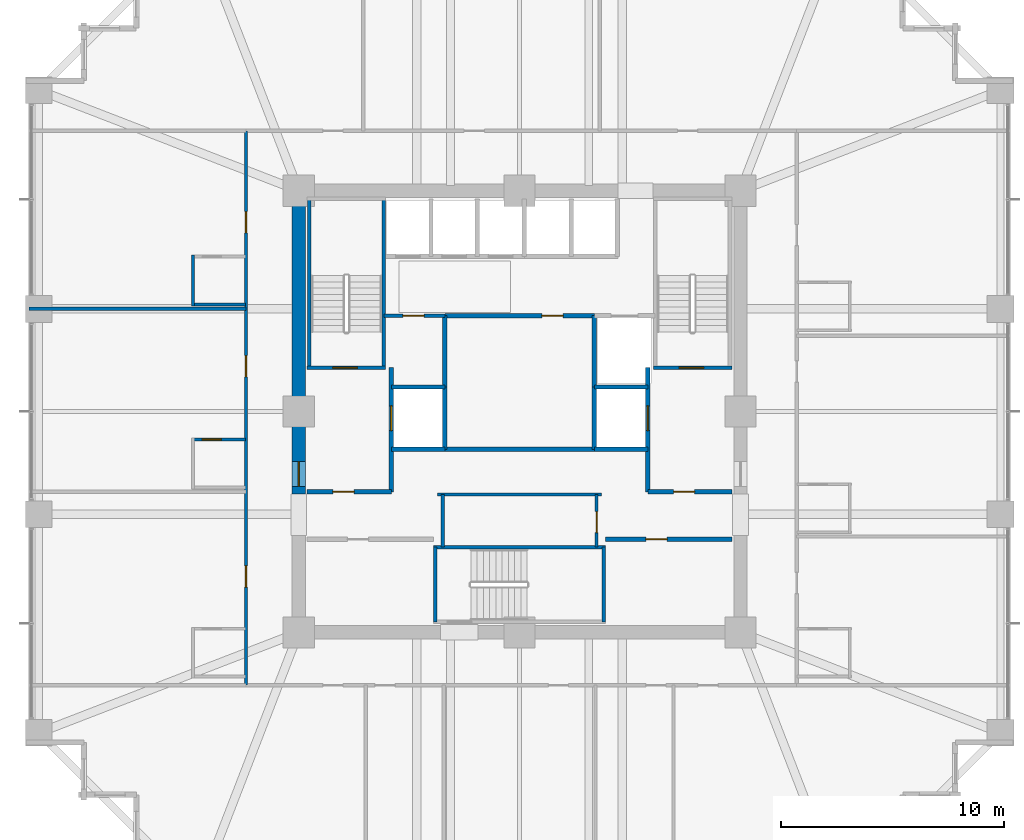
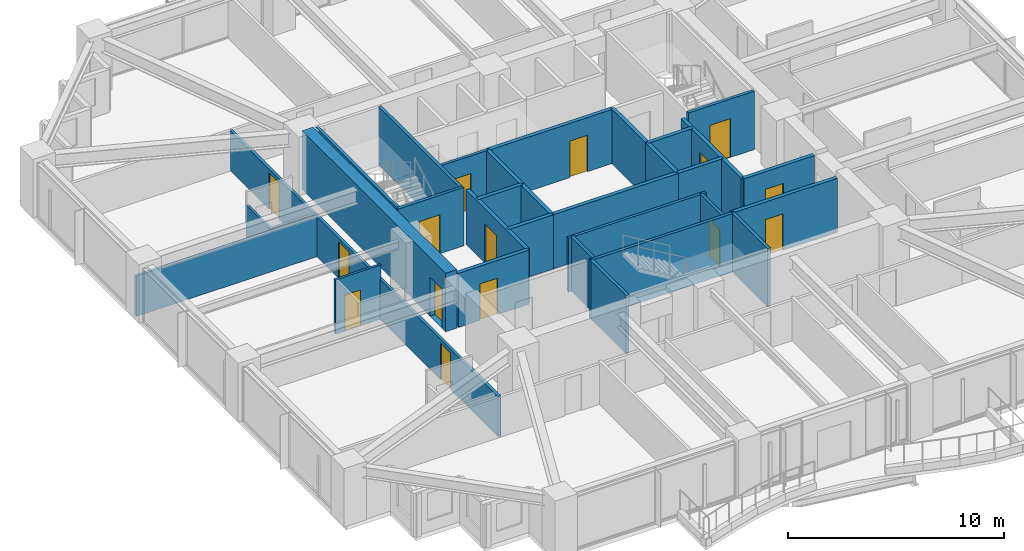
# One storey, part 33 of 38: 32 walls, 15 doors, 15 openings.
"""IFC4 building model written with IfcOpenShell, lengths in metres."""

import ifcopenshell
import ifcopenshell.guid

model = None  # the IFC model being written
_history = None  # IfcOwnerHistory: only IFC2X3 demands one
_inside = {}  # id of a spatial element -> (the spatial element, [elements in it])
_under = {}  # id of a project, library or spatial element -> (it, [spatial elements below it])
_declared = {}  # id of a project -> (the project, [libraries it declares])
_typed = {}  # id of a type object -> (the type object, [elements of that type])
_made_of = {}  # id of a material, layer set ... -> (it, [elements and type objects made of it])


def new_model(schema):
    """Start an empty IFC model of exactly this schema.

    Asked for "IFC4X3", IfcOpenShell would pick the latest addendum, in which some entities
    have other attributes; the version numbers below select the first issue.
    IFC2X3 requires an IfcOwnerHistory on every rooted entity: one is made here for all.
    """
    global model, _history
    if schema == "IFC4X3":
        model = ifcopenshell.file(schema_version=(4, 3, 0, 0))
    else:
        model = ifcopenshell.file(schema=schema)
    _inside.clear()
    _under.clear()
    _declared.clear()
    _typed.clear()
    _made_of.clear()
    _history = None
    if model.schema == "IFC2X3":
        org = make("IfcOrganization", Name="unknown")
        user = make(
            "IfcPersonAndOrganization",
            ThePerson=make("IfcPerson", FamilyName="unknown"),
            TheOrganization=org,
        )
        app = make(
            "IfcApplication",
            ApplicationDeveloper=org,
            Version="unknown",
            ApplicationFullName="unknown",
            ApplicationIdentifier="unknown",
        )
        _history = make(
            "IfcOwnerHistory",
            OwningUser=user,
            OwningApplication=app,
            ChangeAction="ADDED",
            CreationDate=0,
        )
    return model


def make(cls, **values):
    """One entity of the class cls with the attributes given. An attribute that is None is left unset."""
    return model.create_entity(
        cls, **{name: value for name, value in values.items() if value is not None}
    )


def rooted(cls, **values):
    """An entity with a GlobalId (a new one), such as an element, a storey or a relation."""
    return make(cls, GlobalId=ifcopenshell.guid.new(), OwnerHistory=_history, **values)


def si_unit(unit_type, name, prefix=None):
    """IfcSIUnit, for example si_unit("LENGTHUNIT", "METRE", prefix="MILLI")."""
    return make("IfcSIUnit", UnitType=unit_type, Prefix=prefix, Name=name)


def assignment(units):
    """IfcUnitAssignment: the units of a project."""
    return None if units is None else make("IfcUnitAssignment", Units=units)


def point(xyz):
    """IfcCartesianPoint."""
    return None if xyz is None else make("IfcCartesianPoint", Coordinates=xyz)


def direction(xyz):
    """IfcDirection."""
    return None if xyz is None else make("IfcDirection", DirectionRatios=xyz)


def frame(location, z_axis=None, x_axis=None):
    """IfcAxis2Placement3D, a coordinate frame: its origin and axes. An axis left out is left unset."""
    return make(
        "IfcAxis2Placement3D",
        Location=point(location),
        Axis=direction(z_axis),
        RefDirection=direction(x_axis),
    )


def frame_2d(location, x_axis=None):
    """IfcAxis2Placement2D, a coordinate frame in the plane: its origin and x axis."""
    return make(
        "IfcAxis2Placement2D", Location=point(location), RefDirection=direction(x_axis)
    )


def origin():
    """The frame at (0, 0, 0) with its axes left unset."""
    return frame((0.0, 0.0, 0.0))


def place(relative_to, where):
    """IfcLocalPlacement: puts the frame where relative to a parent placement (None: the world)."""
    return make(
        "IfcLocalPlacement", PlacementRelTo=relative_to, RelativePlacement=where
    )


def context(
    kind, dimensions, precision=None, world=None, true_north=None, identifier=None
):
    """IfcGeometricRepresentationContext, for example the 3D "Model" context."""
    return make(
        "IfcGeometricRepresentationContext",
        ContextIdentifier=identifier,
        ContextType=kind,
        CoordinateSpaceDimension=dimensions,
        Precision=precision,
        WorldCoordinateSystem=world,
        TrueNorth=true_north,
    )


def subcontext(parent, identifier, kind, view, scale=None):
    """IfcGeometricRepresentationSubContext, for example "Body" below "Model"."""
    return make(
        "IfcGeometricRepresentationSubContext",
        ContextIdentifier=identifier,
        ContextType=kind,
        ParentContext=parent,
        TargetScale=scale,
        TargetView=view,
    )


def project(units=None, contexts=None):
    """IfcProject with its units and contexts."""
    return rooted(
        "IfcProject",
        Name="project",
        RepresentationContexts=contexts,
        UnitsInContext=assignment(units),
    )


def spatial(cls, under=None, at=None, **own):
    """A site, building, storey or space (cls), placed at a placement, below another one or the project."""
    s = rooted(cls, ObjectPlacement=at, **own)
    if under is not None:
        _under.setdefault(under.id(), (under, []))[1].append(s)
    return s


def profile(cls, at=None, kind="AREA", **sizes):
    """A parametric profile (cls). Its sizes go by their IFC names, for example OverallWidth=200.0."""
    return make(cls, ProfileType=kind, Position=at, **sizes)


def rectangle(**sizes):
    """IfcRectangleProfileDef."""
    return profile("IfcRectangleProfileDef", **sizes)


def extrude(swept, where, along, depth):
    """IfcExtrudedAreaSolid: the profile swept, set in the frame where, extruded along a direction by depth."""
    return make(
        "IfcExtrudedAreaSolid",
        SweptArea=swept,
        Position=where,
        ExtrudedDirection=direction(along),
        Depth=depth,
    )


def shape(context_of_items, identifier, shape_type, items):
    """IfcShapeRepresentation: the items that make up one representation, for example the "Body"."""
    return make(
        "IfcShapeRepresentation",
        ContextOfItems=context_of_items,
        RepresentationIdentifier=identifier,
        RepresentationType=shape_type,
        Items=items,
    )


def material(Name=None, Category=None):
    """IfcMaterial."""
    return make("IfcMaterial", Name=Name, Category=Category)


def layer(
    of_material, thickness, ventilated=None, Name=None, Category=None, Priority=None
):
    """IfcMaterialLayer: one layer of a wall or slab, of a material (None: an air gap)."""
    return make(
        "IfcMaterialLayer",
        Material=of_material,
        LayerThickness=thickness,
        IsVentilated=ventilated,
        Name=Name,
        Category=Category,
        Priority=Priority,
    )


def layer_set(layers, Name=None):
    """IfcMaterialLayerSet."""
    return make("IfcMaterialLayerSet", MaterialLayers=layers, LayerSetName=Name)


def made_of(thing, what):
    """Note that an element or type object is made of a material, layer set ...; save() writes the relation."""
    if what is not None:
        _made_of.setdefault(what.id(), (what, []))[1].append(thing)
    return thing


def type_object(cls, material=None, **own):
    """A type object (cls), such as IfcWallType, which elements share."""
    return made_of(rooted(cls, **own), material)


def element(
    cls,
    number,
    at=None,
    inside=None,
    cuts=None,
    type_object=None,
    material=None,
    context=None,
    identifier="Body",
    shape_type=None,
    held_by="IfcProductDefinitionShape",
    body=None,
    shapes=None,
    **own,
):
    """One element of the class cls, such as IfcWall. Its Tag is "e" and its number.

    at: its placement. inside: the storey or other place that contains it. cuts: it is an
    opening in that element (IfcRelVoidsElement). A single representation is given by context,
    identifier, shape_type and body (its items); several are given by shapes. held_by: the class
    of the entity that holds the representations. save() writes the other relations.
    """
    e = rooted(cls, Tag="e%d" % number, ObjectPlacement=at, **own)
    if body is not None:
        shapes = [shape(context, identifier, shape_type, body)]
    if shapes is not None:
        e.Representation = make(held_by, Representations=shapes)
    if inside is not None:
        _inside.setdefault(inside.id(), (inside, []))[1].append(e)
    if cuts is not None:
        rooted(
            "IfcRelVoidsElement", RelatingBuildingElement=cuts, RelatedOpeningElement=e
        )
    if type_object is not None:
        _typed.setdefault(type_object.id(), (type_object, []))[1].append(e)
    return made_of(e, material)


def fill(opening, filler):
    """IfcRelFillsElement: the door or window that sits in an opening."""
    return rooted(
        "IfcRelFillsElement",
        RelatingOpeningElement=opening,
        RelatedBuildingElement=filler,
    )


def aggregate(whole, parts):
    """IfcRelAggregates: a whole, such as a stair, and the parts it consists of."""
    return rooted("IfcRelAggregates", RelatingObject=whole, RelatedObjects=parts)


def save(model, path):
    """Write the relations noted so far, then the file.

    IfcRelAggregates (storeys below a building ...), IfcRelContainedInSpatialStructure (elements
    in a storey), IfcRelDefinesByType, IfcRelAssociatesMaterial and IfcRelDeclares: one each for
    every whole, place, type object, material and project.
    """
    for whole, parts in _under.values():
        aggregate(whole, parts)
    for where, things in _inside.values():
        rooted(
            "IfcRelContainedInSpatialStructure",
            RelatedElements=things,
            RelatingStructure=where,
        )
    for kind, things in _typed.values():
        rooted("IfcRelDefinesByType", RelatedObjects=things, RelatingType=kind)
    for what, things in _made_of.values():
        rooted("IfcRelAssociatesMaterial", RelatedObjects=things, RelatingMaterial=what)
    for by, libraries in _declared.values():
        rooted("IfcRelDeclares", RelatingContext=by, RelatedDefinitions=libraries)
    model.write(path)


model = new_model("IFC4")

# Units and contexts
model_context = context("Model", 3, precision=1e-05, world=origin(), true_north=direction((0.0, 1.0)))
body_context = subcontext(model_context, "Body", "Model", "MODEL_VIEW")
ifc_project = project(units=[si_unit("LENGTHUNIT", "METRE"), si_unit("AREAUNIT", "SQUARE_METRE"), si_unit("VOLUMEUNIT", "CUBIC_METRE"), si_unit("PLANEANGLEUNIT", "RADIAN"), si_unit("MASSUNIT", "GRAM", prefix="KILO")], contexts=[model_context])

# Site, building, storey
site_placement = place(None, origin())
site = spatial("IfcSite", under=ifc_project, at=site_placement, CompositionType="ELEMENT")
building_placement = place(site_placement, origin())
building = spatial("IfcBuilding", under=site, at=building_placement, Name="Kolvaren Belvedere", CompositionType="ELEMENT")
storey_placement = place(building_placement, frame((0.0, 0.0, 27.10009765625)))
storey = spatial("IfcBuildingStorey", under=building, at=storey_placement, Name="L07", CompositionType="ELEMENT", Elevation=27.10009765625)

# Wall, opening, door
ifc_material_1 = material(Name="Concrete C60/75", Category="concrete")
ifc_layer_1 = layer(ifc_material_1, 0.60009765625)
ifc_layer_set_1 = layer_set([ifc_layer_1], Name="Concrete C60/75")
wall_type_1 = type_object("IfcWallType", Name="CW-CORE-600", PredefinedType="SHEAR", material=ifc_layer_set_1)
wall_1_placement = place(storey_placement, frame((-9.89990234375, -3.699951171875, 0.0), z_axis=(0.0, 0.0, 1.0), x_axis=(0.0, 1.0, 0.0)))
wall_1 = element("IfcWall", 1, at=wall_1_placement, inside=storey, type_object=wall_type_1, Name="L07 West Core Shear Wall 2", PredefinedType="SHEAR", context=body_context, shape_type="SweptSolid", body=[
    extrude(rectangle(XDim=13.300048828125, YDim=0.60009765625, at=frame_2d((6.64990234375, 0.0))), origin(), (0.0, 0.0, 1.0), 3.2998046875),
])
opening_1_placement = place(wall_1_placement, frame((0.35009765625, 0.0, 0.0)))
opening_1 = element("IfcOpeningElement", 2, at=opening_1_placement, cuts=wall_1, Name="Opening D-FD90", PredefinedType="OPENING", context=body_context, shape_type="SweptSolid", body=[
    extrude(rectangle(XDim=1.10009765625, YDim=2.199951171875, at=frame_2d((0.550048828125, 1.10009765625))), frame((0.0, 0.31005859375, 0.0), z_axis=(0.0, -1.0, 0.0), x_axis=(1.0, 0.0, 0.0)), (0.0, 0.0, 1.0), 0.6201171875),
])
ifc_material_2 = material(Name="Painted hollow stainless steel", Category="steel")
door_type_1 = type_object("IfcDoorType", Name="DR-FD90-1100", OperationType="NOTDEFINED", PredefinedType="DOOR", material=ifc_material_2)
door_1_placement = place(opening_1_placement, origin())
door_1 = element("IfcDoor", 3, at=door_1_placement, inside=storey, type_object=door_type_1, Name="L07 West Firefighting Lobby Fire Door", OperationType="SINGLE_SWING_LEFT", OverallHeight=2.199951171875, OverallWidth=1.10009765625, PredefinedType="DOOR", context=body_context, shape_type="SweptSolid", body=[
    extrude(rectangle(XDim=1.10009765625, YDim=2.199951171875, at=frame_2d((0.550048828125, 1.10009765625))), frame((0.0, 0.02490234375, 0.0), z_axis=(0.0, -1.0, 0.0), x_axis=(1.0, 0.0, 0.0)), (0.0, 0.0, 1.0), 0.050048828125),
])
fill(opening_1, door_1)

ifc_material_3 = material(Name="Concrete C50/60", Category="concrete")
ifc_layer_2 = layer(ifc_material_3, 0.159912109375)
ifc_layer_set_2 = layer_set([ifc_layer_2], Name="Concrete C50/60")
wall_type_2 = type_object("IfcWallType", Name="CW-STAIR-160", PredefinedType="SHEAR", material=ifc_layer_set_2)
wall_2_placement = place(storey_placement, frame((-9.52001953125, 1.969970703125, 0.0), z_axis=(0.0, 0.0, 1.0), x_axis=(1.0, 0.0, 0.0)))
wall_2 = element("IfcWall", 4, at=wall_2_placement, inside=storey, type_object=wall_type_2, Name="L07 Stair ST-1 South Shear Wall", PredefinedType="SHEAR", context=body_context, shape_type="SweptSolid", body=[
    extrude(rectangle(XDim=3.52001953125, YDim=0.159912109375, at=frame_2d((1.760009765625, 0.0))), origin(), (0.0, 0.0, 1.0), 3.2998046875),
])
opening_2_placement = place(wall_2_placement, frame((1.14990234375, 0.0, 0.0)))
opening_2 = element("IfcOpeningElement", 5, at=opening_2_placement, cuts=wall_2, Name="Opening D-FD90", PredefinedType="OPENING", context=body_context, shape_type="SweptSolid", body=[
    extrude(rectangle(XDim=1.10009765625, YDim=2.199951171875, at=frame_2d((0.550048828125, 1.10009765625))), frame((0.0, 0.08984375, 0.0), z_axis=(0.0, -1.0, 0.0), x_axis=(1.0, 0.0, 0.0)), (0.0, 0.0, 1.0), 0.179931640625),
])
door_2_placement = place(opening_2_placement, origin())
door_2 = element("IfcDoor", 6, at=door_2_placement, inside=storey, type_object=door_type_1, Name="L07 Stair ST-1 Fire Door", OperationType="SINGLE_SWING_LEFT", OverallHeight=2.199951171875, OverallWidth=1.10009765625, PredefinedType="DOOR", context=body_context, shape_type="SweptSolid", body=[
    extrude(rectangle(XDim=1.10009765625, YDim=2.199951171875, at=frame_2d((0.550048828125, 1.10009765625))), frame((0.0, 0.02490234375, 0.0), z_axis=(0.0, -1.0, 0.0), x_axis=(1.0, 0.0, 0.0)), (0.0, 0.0, 1.0), 0.050048828125),
])
fill(opening_2, door_2)

# Walls
for number, where, z_axis, x_axis, name in (
    (7, (-9.429931640625, 1.969970703125, 0.0), (0.0, 0.0, 1.0), (0.0, 1.0, 0.0), "L07 Stair ST-1 West Shear Wall"),
    (8, (-6.080078125, 1.969970703125, 0.0), (0.0, 0.0, 1.0), (0.0, 1.0, 0.0), "L07 Stair ST-1 East Shear Wall"),
):
    element("IfcWall", number, at=place(storey_placement, frame(where, z_axis=z_axis, x_axis=x_axis)), inside=storey, type_object=wall_type_2, Name=name, PredefinedType="SHEAR", context=body_context, shape_type="SweptSolid", body=[
        extrude(rectangle(XDim=7.56005859375, YDim=0.159912109375, at=frame_2d((3.780029296875, 0.0))), origin(), (0.0, 0.0, 1.0), 3.2998046875),
    ])

# Wall, opening, door
wall_3_placement = place(storey_placement, frame((6.0, 1.969970703125, 0.0), z_axis=(0.0, 0.0, 1.0), x_axis=(1.0, 0.0, 0.0)))
wall_3 = element("IfcWall", 9, at=wall_3_placement, inside=storey, type_object=wall_type_2, Name="L07 Stair ST-2 South Shear Wall", PredefinedType="SHEAR", context=body_context, shape_type="SweptSolid", body=[
    extrude(rectangle(XDim=3.52001953125, YDim=0.159912109375, at=frame_2d((1.760009765625, 0.0))), origin(), (0.0, 0.0, 1.0), 3.2998046875),
])
opening_3_placement = place(wall_3_placement, frame((1.14990234375, 0.0, 0.0)))
opening_3 = element("IfcOpeningElement", 10, at=opening_3_placement, cuts=wall_3, Name="Opening D-FD90", PredefinedType="OPENING", context=body_context, shape_type="SweptSolid", body=[
    extrude(rectangle(XDim=1.10009765625, YDim=2.199951171875, at=frame_2d((0.550048828125, 1.10009765625))), frame((0.0, 0.08984375, 0.0), z_axis=(0.0, -1.0, 0.0), x_axis=(1.0, 0.0, 0.0)), (0.0, 0.0, 1.0), 0.179931640625),
])
door_3_placement = place(opening_3_placement, origin())
door_3 = element("IfcDoor", 11, at=door_3_placement, inside=storey, type_object=door_type_1, Name="L07 Stair ST-2 Fire Door", OperationType="SINGLE_SWING_RIGHT", OverallHeight=2.199951171875, OverallWidth=1.10009765625, PredefinedType="DOOR", context=body_context, shape_type="SweptSolid", body=[
    extrude(rectangle(XDim=1.10009765625, YDim=2.199951171875, at=frame_2d((0.550048828125, 1.10009765625))), frame((0.0, 0.02490234375, 0.0), z_axis=(0.0, -1.0, 0.0), x_axis=(1.0, 0.0, 0.0)), (0.0, 0.0, 1.0), 0.050048828125),
])
fill(opening_3, door_3)

# Walls
wall_4_placement = place(storey_placement, frame((-3.860107421875, -6.080078125, 0.0), z_axis=(0.0, 0.0, 1.0), x_axis=(1.0, 0.0, 0.0)))
element("IfcWall", 12, at=wall_4_placement, inside=storey, type_object=wall_type_2, Name="L07 Stair ST-3 North Shear Wall", PredefinedType="SHEAR", context=body_context, shape_type="SweptSolid", body=[
    extrude(rectangle(XDim=7.72021484375, YDim=0.159912109375, at=frame_2d((3.860107421875, 0.0))), origin(), (0.0, 0.0, 1.0), 3.2998046875),
])
for number, where, z_axis, x_axis, name in (
    (13, (-3.780029296875, -9.429931640625, 0.0), (0.0, 0.0, 1.0), (0.0, 1.0, 0.0), "L07 Stair ST-3 West Shear Wall"),
    (14, (3.780029296875, -9.429931640625, 0.0), (0.0, 0.0, 1.0), (0.0, 1.0, 0.0), "L07 Stair ST-3 East Shear Wall"),
):
    element("IfcWall", number, at=place(storey_placement, frame(where, z_axis=z_axis, x_axis=x_axis)), inside=storey, type_object=wall_type_2, Name=name, PredefinedType="SHEAR", context=body_context, shape_type="SweptSolid", body=[
        extrude(rectangle(XDim=3.349853515625, YDim=0.159912109375, at=frame_2d((1.6748046875, 0.0))), origin(), (0.0, 0.0, 1.0), 3.2998046875),
    ])

# Wall, openings, doors
ifc_material_4 = material(Name="Gypsum fire-rated partition assembly", Category="gypsum")
ifc_layer_3 = layer(ifc_material_4, 0.14990234375)
ifc_layer_set_3 = layer_set([ifc_layer_3], Name="Gypsum fire-rated partition assembly")
wall_type_3 = type_object("IfcWallType", Name="WL-CORR-150", PredefinedType="PARTITIONING", material=ifc_layer_set_3)
wall_5_placement = place(storey_placement, frame((-12.260009765625, -12.260009765625, 0.0), z_axis=(0.0, 0.0, 1.0), x_axis=(0.0, 1.0, 0.0)))
wall_5 = element("IfcWall", 15, at=wall_5_placement, inside=storey, type_object=wall_type_3, Name="L07 West Corridor Wall", PredefinedType="PARTITIONING", context=body_context, shape_type="SweptSolid", body=[
    extrude(rectangle(XDim=24.840087890625, YDim=0.14990234375, at=frame_2d((12.419921875, 0.0))), origin(), (0.0, 0.0, 1.0), 2.27197265625),
])
opening_4_placement = place(wall_5_placement, frame((4.39453125, 0.0, 0.0)))
opening_4 = element("IfcOpeningElement", 16, at=opening_4_placement, cuts=wall_5, Name="Opening D-FD60", PredefinedType="OPENING", context=body_context, shape_type="SweptSolid", body=[
    extrude(rectangle(XDim=0.949951171875, YDim=2.06005859375, at=frame_2d((0.47509765625, 1.030029296875))), frame((0.0, 0.0849609375, 0.0), z_axis=(0.0, -1.0, 0.0), x_axis=(1.0, 0.0, 0.0)), (0.0, 0.0, 1.0), 0.169921875),
])
opening_5_placement = place(wall_5_placement, frame((13.81494140625, 0.0, 0.0)))
opening_5 = element("IfcOpeningElement", 17, at=opening_5_placement, cuts=wall_5, Name="Opening D-FD60", PredefinedType="OPENING", context=body_context, shape_type="SweptSolid", body=[
    extrude(rectangle(XDim=0.949951171875, YDim=2.06005859375, at=frame_2d((0.47509765625, 1.030029296875))), frame((0.0, 0.0849609375, 0.0), z_axis=(0.0, -1.0, 0.0), x_axis=(1.0, 0.0, 0.0)), (0.0, 0.0, 1.0), 0.169921875),
])
opening_6_placement = place(wall_5_placement, frame((20.267578125, 0.0, 0.0)))
opening_6 = element("IfcOpeningElement", 18, at=opening_6_placement, cuts=wall_5, Name="Opening D-FD60", PredefinedType="OPENING", context=body_context, shape_type="SweptSolid", body=[
    extrude(rectangle(XDim=0.949951171875, YDim=2.06005859375, at=frame_2d((0.47509765625, 1.030029296875))), frame((0.0, 0.0849609375, 0.0), z_axis=(0.0, -1.0, 0.0), x_axis=(1.0, 0.0, 0.0)), (0.0, 0.0, 1.0), 0.169921875),
])
ifc_material_5 = material(Name="Acoustic white-oak fire door leaf", Category="timber")
door_type_2 = type_object("IfcDoorType", Name="DR-FD60-950", OperationType="NOTDEFINED", PredefinedType="DOOR", material=ifc_material_5)
door_4_placement = place(opening_4_placement, origin())
door_4 = element("IfcDoor", 19, at=door_4_placement, inside=storey, type_object=door_type_2, Name="L07 Panoramic Corner Hospitality Suite 709 Entry Door", OperationType="SINGLE_SWING_LEFT", OverallHeight=2.06005859375, OverallWidth=0.949951171875, PredefinedType="DOOR", context=body_context, shape_type="SweptSolid", body=[
    extrude(rectangle(XDim=0.949951171875, YDim=2.06005859375, at=frame_2d((0.47509765625, 1.030029296875))), frame((0.0, 0.02490234375, 0.0), z_axis=(0.0, -1.0, 0.0), x_axis=(1.0, 0.0, 0.0)), (0.0, 0.0, 1.0), 0.050048828125),
])
fill(opening_4, door_4)
door_5_placement = place(opening_5_placement, origin())
door_5 = element("IfcDoor", 20, at=door_5_placement, inside=storey, type_object=door_type_2, Name="L07 Panoramic Corner Hospitality Suite 710 Entry Door", OperationType="SINGLE_SWING_LEFT", OverallHeight=2.06005859375, OverallWidth=0.949951171875, PredefinedType="DOOR", context=body_context, shape_type="SweptSolid", body=[
    extrude(rectangle(XDim=0.949951171875, YDim=2.06005859375, at=frame_2d((0.47509765625, 1.030029296875))), frame((0.0, 0.02490234375, 0.0), z_axis=(0.0, -1.0, 0.0), x_axis=(1.0, 0.0, 0.0)), (0.0, 0.0, 1.0), 0.050048828125),
])
fill(opening_5, door_5)
door_6_placement = place(opening_6_placement, origin())
door_6 = element("IfcDoor", 21, at=door_6_placement, inside=storey, type_object=door_type_2, Name="L07 Panoramic Corner Hospitality Suite 711 Entry Door", OperationType="SINGLE_SWING_LEFT", OverallHeight=2.06005859375, OverallWidth=0.949951171875, PredefinedType="DOOR", context=body_context, shape_type="SweptSolid", body=[
    extrude(rectangle(XDim=0.949951171875, YDim=2.06005859375, at=frame_2d((0.47509765625, 1.030029296875))), frame((0.0, 0.02490234375, 0.0), z_axis=(0.0, -1.0, 0.0), x_axis=(1.0, 0.0, 0.0)), (0.0, 0.0, 1.0), 0.050048828125),
])
fill(opening_6, door_6)

# Wall
ifc_material_6 = material(Name="Gypsum acoustic partition assembly", Category="gypsum")
ifc_layer_4 = layer(ifc_material_6, 0.14990234375)
ifc_layer_set_4 = layer_set([ifc_layer_4], Name="Gypsum acoustic partition assembly")
wall_type_4 = type_object("IfcWallType", Name="WL-PART-150", PredefinedType="PARTITIONING", material=ifc_layer_set_4)
wall_6_placement = place(storey_placement, frame((-3.679931640625, -3.719970703125, 0.0), z_axis=(0.0, 0.0, 1.0), x_axis=(1.0, 0.0, 0.0)))
element("IfcWall", 22, at=wall_6_placement, inside=storey, type_object=wall_type_4, Name="L07 South Core Service North Wall", PredefinedType="PARTITIONING", context=body_context, shape_type="SweptSolid", body=[
    extrude(rectangle(XDim=7.35986328125, YDim=0.14990234375, at=frame_2d((3.679931640625, 0.0))), origin(), (0.0, 0.0, 1.0), 3.059814453125),
])

# Wall, opening, door
wall_7_placement = place(storey_placement, frame((3.449951171875, -6.080078125, 0.0), z_axis=(0.0, 0.0, 1.0), x_axis=(0.0, 1.0, 0.0)))
wall_7 = element("IfcWall", 23, at=wall_7_placement, inside=storey, type_object=wall_type_4, Name="L07 South Core Service East Wall", PredefinedType="PARTITIONING", context=body_context, shape_type="SweptSolid", body=[
    extrude(rectangle(XDim=2.360107421875, YDim=0.14990234375, at=frame_2d((1.18017578125, 0.0))), origin(), (0.0, 0.0, 1.0), 3.059814453125),
])
opening_7_placement = place(wall_7_placement, frame((0.64990234375, 0.0, 0.0)))
opening_7 = element("IfcOpeningElement", 24, at=opening_7_placement, cuts=wall_7, Name="Opening D-FD60", PredefinedType="OPENING", context=body_context, shape_type="SweptSolid", body=[
    extrude(rectangle(XDim=0.949951171875, YDim=2.06005859375, at=frame_2d((0.47509765625, 1.030029296875))), frame((0.0, 0.0849609375, 0.0), z_axis=(0.0, -1.0, 0.0), x_axis=(1.0, 0.0, 0.0)), (0.0, 0.0, 1.0), 0.169921875),
])
door_7_placement = place(opening_7_placement, origin())
door_7 = element("IfcDoor", 25, at=door_7_placement, inside=storey, type_object=door_type_2, Name="L07 Core Service Room Door", OperationType="SINGLE_SWING_LEFT", OverallHeight=2.06005859375, OverallWidth=0.949951171875, PredefinedType="DOOR", context=body_context, shape_type="SweptSolid", body=[
    extrude(rectangle(XDim=0.949951171875, YDim=2.06005859375, at=frame_2d((0.47509765625, 1.030029296875))), frame((0.0, 0.02490234375, 0.0), z_axis=(0.0, -1.0, 0.0), x_axis=(1.0, 0.0, 0.0)), (0.0, 0.0, 1.0), 0.050048828125),
])
fill(opening_7, door_7)

# Wall
wall_8_placement = place(storey_placement, frame((-3.449951171875, -6.080078125, 0.0), z_axis=(0.0, 0.0, 1.0), x_axis=(0.0, 1.0, 0.0)))
element("IfcWall", 26, at=wall_8_placement, inside=storey, type_object=wall_type_4, Name="L07 South Core Service West Wall", PredefinedType="PARTITIONING", context=body_context, shape_type="SweptSolid", body=[
    extrude(rectangle(XDim=2.360107421875, YDim=0.14990234375, at=frame_2d((1.18017578125, 0.0))), origin(), (0.0, 0.0, 1.0), 3.059814453125),
])

# Wall, opening, door
wall_9_placement = place(storey_placement, frame((-6.080078125, 4.300048828125, 0.0), z_axis=(0.0, 0.0, 1.0), x_axis=(1.0, 0.0, 0.0)))
wall_9 = element("IfcWall", 27, at=wall_9_placement, inside=storey, type_object=wall_type_4, Name="L07 NW Service Room North Wall", PredefinedType="PARTITIONING", context=body_context, shape_type="SweptSolid", body=[
    extrude(rectangle(XDim=2.72998046875, YDim=0.14990234375, at=frame_2d((1.364990234375, 0.0))), origin(), (0.0, 0.0, 1.0), 3.059814453125),
])
opening_8_placement = place(wall_9_placement, frame((0.85009765625, 0.0, 0.0)))
opening_8 = element("IfcOpeningElement", 28, at=opening_8_placement, cuts=wall_9, Name="Opening D-FD60", PredefinedType="OPENING", context=body_context, shape_type="SweptSolid", body=[
    extrude(rectangle(XDim=0.949951171875, YDim=2.06005859375, at=frame_2d((0.47509765625, 1.030029296875))), frame((0.0, 0.0849609375, 0.0), z_axis=(0.0, -1.0, 0.0), x_axis=(1.0, 0.0, 0.0)), (0.0, 0.0, 1.0), 0.169921875),
])
door_8_placement = place(opening_8_placement, origin())
door_8 = element("IfcDoor", 29, at=door_8_placement, inside=storey, type_object=door_type_2, Name="L07 NW Core Store Door", OperationType="SINGLE_SWING_RIGHT", OverallHeight=2.06005859375, OverallWidth=0.949951171875, PredefinedType="DOOR", context=body_context, shape_type="SweptSolid", body=[
    extrude(rectangle(XDim=0.949951171875, YDim=2.06005859375, at=frame_2d((0.47509765625, 1.030029296875))), frame((0.0, 0.02490234375, 0.0), z_axis=(0.0, -1.0, 0.0), x_axis=(1.0, 0.0, 0.0)), (0.0, 0.0, 1.0), 0.050048828125),
])
fill(opening_8, door_8)

# Wall
wall_10_placement = place(storey_placement, frame((-21.97998046875, 4.60009765625, 0.0), z_axis=(0.0, 0.0, 1.0), x_axis=(1.0, 0.0, 0.0)))
element("IfcWall", 30, at=wall_10_placement, inside=storey, type_object=wall_type_4, Name="L07 West Suite Demising Wall 2", PredefinedType="PARTITIONING", context=body_context, shape_type="SweptSolid", body=[
    extrude(rectangle(XDim=9.719970703125, YDim=0.14990234375, at=frame_2d((4.85986328125, 0.0))), origin(), (0.0, 0.0, 1.0), 2.27197265625),
])

# Wall, opening, door
ifc_material_7 = material(Name="Concrete C50/60", Category="concrete")
ifc_layer_5 = layer(ifc_material_7, 0.199951171875)
ifc_layer_set_5 = layer_set([ifc_layer_5], Name="Concrete C50/60")
wall_type_5 = type_object("IfcWallType", Name="WL-SHAFT-200", PredefinedType="SOLIDWALL", material=ifc_layer_set_5)
wall_11_placement = place(storey_placement, frame((-9.52001953125, -3.60009765625, 0.0), z_axis=(0.0, 0.0, 1.0), x_axis=(1.0, 0.0, 0.0)))
wall_11 = element("IfcWall", 31, at=wall_11_placement, inside=storey, type_object=wall_type_5, Name="L07 West FSAE Lobby South Wall", PredefinedType="SOLIDWALL", context=body_context, shape_type="SweptSolid", body=[
    extrude(rectangle(XDim=3.77001953125, YDim=0.199951171875, at=frame_2d((1.885009765625, 0.0))), origin(), (0.0, 0.0, 1.0), 3.059814453125),
])
opening_9_placement = place(wall_11_placement, frame((1.14990234375, 0.0, 0.0)))
opening_9 = element("IfcOpeningElement", 32, at=opening_9_placement, cuts=wall_11, Name="Opening D-FD60", PredefinedType="OPENING", context=body_context, shape_type="SweptSolid", body=[
    extrude(rectangle(XDim=0.949951171875, YDim=2.06005859375, at=frame_2d((0.47509765625, 1.030029296875))), frame((0.0, 0.10986328125, 0.0), z_axis=(0.0, -1.0, 0.0), x_axis=(1.0, 0.0, 0.0)), (0.0, 0.0, 1.0), 0.219970703125),
])
door_9_placement = place(opening_9_placement, origin())
door_9 = element("IfcDoor", 33, at=door_9_placement, inside=storey, type_object=door_type_2, Name="L07 SW Lift Lobby Fire Door", OperationType="SINGLE_SWING_LEFT", OverallHeight=2.06005859375, OverallWidth=0.949951171875, PredefinedType="DOOR", context=body_context, shape_type="SweptSolid", body=[
    extrude(rectangle(XDim=0.949951171875, YDim=2.06005859375, at=frame_2d((0.47509765625, 1.030029296875))), frame((0.0, 0.02490234375, 0.0), z_axis=(0.0, -1.0, 0.0), x_axis=(1.0, 0.0, 0.0)), (0.0, 0.0, 1.0), 0.050048828125),
])
fill(opening_9, door_9)

wall_12_placement = place(storey_placement, frame((-5.75, -3.60009765625, 0.0), z_axis=(0.0, 0.0, 1.0), x_axis=(0.0, 1.0, 0.0)))
wall_12 = element("IfcWall", 34, at=wall_12_placement, inside=storey, type_object=wall_type_5, Name="L07 FSAE FS1 Landing Wall", PredefinedType="SOLIDWALL", context=body_context, shape_type="SweptSolid", body=[
    extrude(rectangle(XDim=5.570068359375, YDim=0.199951171875, at=frame_2d((2.78515625, 0.0))), origin(), (0.0, 0.0, 1.0), 3.059814453125),
])
opening_10_placement = place(wall_12_placement, frame((2.75, 0.0, 0.0)))
opening_10 = element("IfcOpeningElement", 35, at=opening_10_placement, cuts=wall_12, Name="Opening LD-11", PredefinedType="OPENING", context=body_context, shape_type="SweptSolid", body=[
    extrude(rectangle(XDim=1.10009765625, YDim=2.199951171875, at=frame_2d((0.550048828125, 1.10009765625))), frame((0.0, 0.10986328125, 0.0), z_axis=(0.0, -1.0, 0.0), x_axis=(1.0, 0.0, 0.0)), (0.0, 0.0, 1.0), 0.219970703125),
])
ifc_material_8 = material(Name="Brushed stainless steel", Category="steel")
door_type_3 = type_object("IfcDoorType", Name="DR-LIFT-1100", OperationType="DOUBLE_DOOR_SLIDING", PredefinedType="DOOR", material=ifc_material_8)
door_10_placement = place(opening_10_placement, origin())
door_10 = element("IfcDoor", 36, at=door_10_placement, inside=storey, type_object=door_type_3, Name="L07 Firefighting Lift FS1 Landing Door", OperationType="DOUBLE_DOOR_SLIDING", OverallHeight=2.199951171875, OverallWidth=1.10009765625, PredefinedType="DOOR", context=body_context, shape_type="SweptSolid", body=[
    extrude(rectangle(XDim=1.10009765625, YDim=2.199951171875, at=frame_2d((0.550048828125, 1.10009765625))), frame((0.0, 0.02490234375, 0.0), z_axis=(0.0, -1.0, 0.0), x_axis=(1.0, 0.0, 0.0)), (0.0, 0.0, 1.0), 0.050048828125),
])
fill(opening_10, door_10)

# Walls
wall_13_placement = place(storey_placement, frame((-3.35009765625, -1.699951171875, 0.0), z_axis=(0.0, 0.0, 1.0), x_axis=(0.0, 1.0, 0.0)))
element("IfcWall", 37, at=wall_13_placement, inside=storey, type_object=wall_type_5, Name="L07 FSAE FS1 Back Wall", PredefinedType="SOLIDWALL", context=body_context, shape_type="SweptSolid", body=[
    extrude(rectangle(XDim=2.800048828125, YDim=0.199951171875, at=frame_2d((1.39990234375, 0.0))), origin(), (0.0, 0.0, 1.0), 3.059814453125),
])
for number, where, z_axis, x_axis, name in (
    (38, (-5.75, -1.699951171875, 0.0), (0.0, 0.0, 1.0), (1.0, 0.0, 0.0), "L07 FSAE FS1 South Wall"),
    (39, (-5.75, 1.10009765625, 0.0), (0.0, 0.0, 1.0), (1.0, 0.0, 0.0), "L07 FSAE FS1 North Wall"),
):
    element("IfcWall", number, at=place(storey_placement, frame(where, z_axis=z_axis, x_axis=x_axis)), inside=storey, type_object=wall_type_5, Name=name, PredefinedType="SOLIDWALL", context=body_context, shape_type="SweptSolid", body=[
        extrude(rectangle(XDim=2.39990234375, YDim=0.199951171875, at=frame_2d((1.199951171875, 0.0))), origin(), (0.0, 0.0, 1.0), 3.059814453125),
    ])

# Wall, opening, door
wall_14_placement = place(storey_placement, frame((5.75, -3.60009765625, 0.0), z_axis=(0.0, 0.0, 1.0), x_axis=(1.0, 0.0, 0.0)))
wall_14 = element("IfcWall", 40, at=wall_14_placement, inside=storey, type_object=wall_type_5, Name="L07 East FSAE Lobby South Wall", PredefinedType="SOLIDWALL", context=body_context, shape_type="SweptSolid", body=[
    extrude(rectangle(XDim=3.77001953125, YDim=0.199951171875, at=frame_2d((1.885009765625, 0.0))), origin(), (0.0, 0.0, 1.0), 3.059814453125),
])
opening_11_placement = place(wall_14_placement, frame((1.14990234375, 0.0, 0.0)))
opening_11 = element("IfcOpeningElement", 41, at=opening_11_placement, cuts=wall_14, Name="Opening D-FD60", PredefinedType="OPENING", context=body_context, shape_type="SweptSolid", body=[
    extrude(rectangle(XDim=0.949951171875, YDim=2.06005859375, at=frame_2d((0.47509765625, 1.030029296875))), frame((0.0, 0.10986328125, 0.0), z_axis=(0.0, -1.0, 0.0), x_axis=(1.0, 0.0, 0.0)), (0.0, 0.0, 1.0), 0.219970703125),
])
door_11_placement = place(opening_11_placement, origin())
door_11 = element("IfcDoor", 42, at=door_11_placement, inside=storey, type_object=door_type_2, Name="L07 SE Lift Lobby Fire Door", OperationType="SINGLE_SWING_RIGHT", OverallHeight=2.06005859375, OverallWidth=0.949951171875, PredefinedType="DOOR", context=body_context, shape_type="SweptSolid", body=[
    extrude(rectangle(XDim=0.949951171875, YDim=2.06005859375, at=frame_2d((0.47509765625, 1.030029296875))), frame((0.0, 0.02490234375, 0.0), z_axis=(0.0, -1.0, 0.0), x_axis=(1.0, 0.0, 0.0)), (0.0, 0.0, 1.0), 0.050048828125),
])
fill(opening_11, door_11)

wall_15_placement = place(storey_placement, frame((5.75, -3.60009765625, 0.0), z_axis=(0.0, 0.0, 1.0), x_axis=(0.0, 1.0, 0.0)))
wall_15 = element("IfcWall", 43, at=wall_15_placement, inside=storey, type_object=wall_type_5, Name="L07 FSAE FS2 Landing Wall", PredefinedType="SOLIDWALL", context=body_context, shape_type="SweptSolid", body=[
    extrude(rectangle(XDim=5.570068359375, YDim=0.199951171875, at=frame_2d((2.78515625, 0.0))), origin(), (0.0, 0.0, 1.0), 3.059814453125),
])
opening_12_placement = place(wall_15_placement, frame((2.75, 0.0, 0.0)))
opening_12 = element("IfcOpeningElement", 44, at=opening_12_placement, cuts=wall_15, Name="Opening LD-11", PredefinedType="OPENING", context=body_context, shape_type="SweptSolid", body=[
    extrude(rectangle(XDim=1.10009765625, YDim=2.199951171875, at=frame_2d((0.550048828125, 1.10009765625))), frame((0.0, 0.10986328125, 0.0), z_axis=(0.0, -1.0, 0.0), x_axis=(1.0, 0.0, 0.0)), (0.0, 0.0, 1.0), 0.219970703125),
])
door_12_placement = place(opening_12_placement, origin())
door_12 = element("IfcDoor", 45, at=door_12_placement, inside=storey, type_object=door_type_3, Name="L07 Firefighting Lift FS2 Landing Door", OperationType="DOUBLE_DOOR_SLIDING", OverallHeight=2.199951171875, OverallWidth=1.10009765625, PredefinedType="DOOR", context=body_context, shape_type="SweptSolid", body=[
    extrude(rectangle(XDim=1.10009765625, YDim=2.199951171875, at=frame_2d((0.550048828125, 1.10009765625))), frame((0.0, 0.02490234375, 0.0), z_axis=(0.0, -1.0, 0.0), x_axis=(1.0, 0.0, 0.0)), (0.0, 0.0, 1.0), 0.050048828125),
])
fill(opening_12, door_12)

# Walls
wall_16_placement = place(storey_placement, frame((3.35009765625, -1.699951171875, 0.0), z_axis=(0.0, 0.0, 1.0), x_axis=(0.0, 1.0, 0.0)))
element("IfcWall", 46, at=wall_16_placement, inside=storey, type_object=wall_type_5, Name="L07 FSAE FS2 Back Wall", PredefinedType="SOLIDWALL", context=body_context, shape_type="SweptSolid", body=[
    extrude(rectangle(XDim=2.800048828125, YDim=0.199951171875, at=frame_2d((1.39990234375, 0.0))), origin(), (0.0, 0.0, 1.0), 3.059814453125),
])
for number, where, z_axis, x_axis, name in (
    (47, (3.35009765625, -1.699951171875, 0.0), (0.0, 0.0, 1.0), (1.0, 0.0, 0.0), "L07 FSAE FS2 South Wall"),
    (48, (3.35009765625, 1.10009765625, 0.0), (0.0, 0.0, 1.0), (1.0, 0.0, 0.0), "L07 FSAE FS2 North Wall"),
):
    element("IfcWall", number, at=place(storey_placement, frame(where, z_axis=z_axis, x_axis=x_axis)), inside=storey, type_object=wall_type_5, Name=name, PredefinedType="SOLIDWALL", context=body_context, shape_type="SweptSolid", body=[
        extrude(rectangle(XDim=2.39990234375, YDim=0.199951171875, at=frame_2d((1.199951171875, 0.0))), origin(), (0.0, 0.0, 1.0), 3.059814453125),
    ])

# Wall, opening, door
wall_17_placement = place(storey_placement, frame((3.860107421875, -5.719970703125, 0.0), z_axis=(0.0, 0.0, 1.0), x_axis=(1.0, 0.0, 0.0)))
wall_17 = element("IfcWall", 49, at=wall_17_placement, inside=storey, type_object=wall_type_5, Name="L07 SE Core Distribution Wall", PredefinedType="SOLIDWALL", context=body_context, shape_type="SweptSolid", body=[
    extrude(rectangle(XDim=5.659912109375, YDim=0.199951171875, at=frame_2d((2.830078125, 0.0))), origin(), (0.0, 0.0, 1.0), 3.059814453125),
])
opening_13_placement = place(wall_17_placement, frame((1.800048828125, 0.0, 0.0)))
opening_13 = element("IfcOpeningElement", 50, at=opening_13_placement, cuts=wall_17, Name="Opening D-FD60", PredefinedType="OPENING", context=body_context, shape_type="SweptSolid", body=[
    extrude(rectangle(XDim=0.949951171875, YDim=2.06005859375, at=frame_2d((0.47509765625, 1.030029296875))), frame((0.0, 0.10986328125, 0.0), z_axis=(0.0, -1.0, 0.0), x_axis=(1.0, 0.0, 0.0)), (0.0, 0.0, 1.0), 0.219970703125),
])
door_13_placement = place(opening_13_placement, origin())
door_13 = element("IfcDoor", 51, at=door_13_placement, inside=storey, type_object=door_type_2, Name="L07 Core Electrical & BMS Room Door", OperationType="SINGLE_SWING_RIGHT", OverallHeight=2.06005859375, OverallWidth=0.949951171875, PredefinedType="DOOR", context=body_context, shape_type="SweptSolid", body=[
    extrude(rectangle(XDim=0.949951171875, YDim=2.06005859375, at=frame_2d((0.47509765625, 1.030029296875))), frame((0.0, 0.02490234375, 0.0), z_axis=(0.0, -1.0, 0.0), x_axis=(1.0, 0.0, 0.0)), (0.0, 0.0, 1.0), 0.050048828125),
])
fill(opening_13, door_13)

wall_18_placement = place(storey_placement, frame((-3.35009765625, 4.300048828125, 0.0), z_axis=(0.0, 0.0, 1.0), x_axis=(1.0, 0.0, 0.0)))
wall_18 = element("IfcWall", 52, at=wall_18_placement, inside=storey, type_object=wall_type_5, Name="L07 Central Core Room North Wall", PredefinedType="SOLIDWALL", context=body_context, shape_type="SweptSolid", body=[
    extrude(rectangle(XDim=6.7001953125, YDim=0.199951171875, at=frame_2d((3.35009765625, 0.0))), origin(), (0.0, 0.0, 1.0), 3.059814453125),
])
opening_14_placement = place(wall_18_placement, frame((4.35009765625, 0.0, 0.0)))
opening_14 = element("IfcOpeningElement", 53, at=opening_14_placement, cuts=wall_18, Name="Opening D-FD60", PredefinedType="OPENING", context=body_context, shape_type="SweptSolid", body=[
    extrude(rectangle(XDim=0.949951171875, YDim=2.06005859375, at=frame_2d((0.47509765625, 1.030029296875))), frame((0.0, 0.10986328125, 0.0), z_axis=(0.0, -1.0, 0.0), x_axis=(1.0, 0.0, 0.0)), (0.0, 0.0, 1.0), 0.219970703125),
])
door_14_placement = place(opening_14_placement, origin())
door_14 = element("IfcDoor", 54, at=door_14_placement, inside=storey, type_object=door_type_2, Name="L07 Central Core Controls Door", OperationType="SINGLE_SWING_LEFT", OverallHeight=2.06005859375, OverallWidth=0.949951171875, PredefinedType="DOOR", context=body_context, shape_type="SweptSolid", body=[
    extrude(rectangle(XDim=0.949951171875, YDim=2.06005859375, at=frame_2d((0.47509765625, 1.030029296875))), frame((0.0, 0.02490234375, 0.0), z_axis=(0.0, -1.0, 0.0), x_axis=(1.0, 0.0, 0.0)), (0.0, 0.0, 1.0), 0.050048828125),
])
fill(opening_14, door_14)

# Walls
wall_19_placement = place(storey_placement, frame((-3.35009765625, -1.699951171875, 0.0), z_axis=(0.0, 0.0, 1.0), x_axis=(1.0, 0.0, 0.0)))
element("IfcWall", 55, at=wall_19_placement, inside=storey, type_object=wall_type_5, Name="L07 Central Core Room South Wall", PredefinedType="SOLIDWALL", context=body_context, shape_type="SweptSolid", body=[
    extrude(rectangle(XDim=6.7001953125, YDim=0.199951171875, at=frame_2d((3.35009765625, 0.0))), origin(), (0.0, 0.0, 1.0), 3.059814453125),
])
for number, where, z_axis, x_axis, name in (
    (56, (-3.35009765625, 1.10009765625, 0.0), (0.0, 0.0, 1.0), (0.0, 1.0, 0.0), "L07 Central Core Room West Wall"),
    (57, (3.35009765625, 1.10009765625, 0.0), (0.0, 0.0, 1.0), (0.0, 1.0, 0.0), "L07 Central Core Room East Wall"),
):
    element("IfcWall", number, at=place(storey_placement, frame(where, z_axis=z_axis, x_axis=x_axis)), inside=storey, type_object=wall_type_5, Name=name, PredefinedType="SOLIDWALL", context=body_context, shape_type="SweptSolid", body=[
        extrude(rectangle(XDim=3.199951171875, YDim=0.199951171875, at=frame_2d((1.60009765625, 0.0))), origin(), (0.0, 0.0, 1.0), 3.059814453125),
    ])

# Wall, opening, door
ifc_material_9 = material(Name="Moisture-resistant gypsum partition", Category="gypsum")
ifc_layer_6 = layer(ifc_material_9, 0.125)
ifc_layer_set_6 = layer_set([ifc_layer_6], Name="Moisture-resistant gypsum partition")
wall_type_6 = type_object("IfcWallType", Name="WL-WET-125", PredefinedType="PARTITIONING", material=ifc_layer_set_6)
wall_20_placement = place(storey_placement, frame((-14.715087890625, -1.2548828125, 0.0), z_axis=(0.0, 0.0, 1.0), x_axis=(1.0, 0.0, 0.0)))
wall_20 = element("IfcWall", 58, at=wall_20_placement, inside=storey, type_object=wall_type_6, Name="L07 Bathroom Partition PW-L07-BTH-10-N", PredefinedType="PARTITIONING", context=body_context, shape_type="SweptSolid", body=[
    extrude(rectangle(XDim=2.440185546875, YDim=0.125, at=frame_2d((1.22021484375, 0.0))), origin(), (0.0, 0.0, 1.0), 3.059814453125),
])
opening_15_placement = place(wall_20_placement, frame((0.5, 0.0, 0.0)))
opening_15 = element("IfcOpeningElement", 59, at=opening_15_placement, cuts=wall_20, Name="Opening D-BTH85", PredefinedType="OPENING", context=body_context, shape_type="SweptSolid", body=[
    extrude(rectangle(XDim=0.85009765625, YDim=2.030029296875, at=frame_2d((0.425048828125, 1.01513671875))), frame((0.0, 0.072509765625, 0.0), z_axis=(0.0, -1.0, 0.0), x_axis=(1.0, 0.0, 0.0)), (0.0, 0.0, 1.0), 0.14501953125),
])
ifc_material_10 = material(Name="Moisture-sealed Pacific white oak", Category="timber")
door_type_4 = type_object("IfcDoorType", Name="DR-BATH-850", OperationType="NOTDEFINED", PredefinedType="DOOR", material=ifc_material_10)
door_15_placement = place(opening_15_placement, origin())
door_15 = element("IfcDoor", 60, at=door_15_placement, inside=storey, type_object=door_type_4, Name="L07 En-Suite Bathroom 710 Door", OperationType="SINGLE_SWING_RIGHT", OverallHeight=2.030029296875, OverallWidth=0.85009765625, PredefinedType="DOOR", context=body_context, shape_type="SweptSolid", body=[
    extrude(rectangle(XDim=0.85009765625, YDim=2.030029296875, at=frame_2d((0.425048828125, 1.01513671875))), frame((0.0, 0.02490234375, 0.0), z_axis=(0.0, -1.0, 0.0), x_axis=(1.0, 0.0, 0.0)), (0.0, 0.0, 1.0), 0.050048828125),
])
fill(opening_15, door_15)

# Walls
wall_21_placement = place(storey_placement, frame((-14.635009765625, 4.735107421875, 0.0), z_axis=(0.0, 0.0, 1.0), x_axis=(0.0, 1.0, 0.0)))
element("IfcWall", 61, at=wall_21_placement, inside=storey, type_object=wall_type_6, Name="L07 Bathroom Partition PW-L07-BTH-11-V", PredefinedType="PARTITIONING", context=body_context, shape_type="SweptSolid", body=[
    extrude(rectangle(XDim=2.269775390625, YDim=0.125, at=frame_2d((1.134765625, 0.0))), origin(), (0.0, 0.0, 1.0), 2.27197265625),
])
wall_22_placement = place(storey_placement, frame((-14.715087890625, 4.794921875, 0.0), z_axis=(0.0, 0.0, 1.0), x_axis=(1.0, 0.0, 0.0)))
element("IfcWall", 62, at=wall_22_placement, inside=storey, type_object=wall_type_6, Name="L07 Bathroom Partition PW-L07-BTH-11-S", PredefinedType="PARTITIONING", context=body_context, shape_type="SweptSolid", body=[
    extrude(rectangle(XDim=2.440185546875, YDim=0.125, at=frame_2d((1.22021484375, 0.0))), origin(), (0.0, 0.0, 1.0), 2.27197265625),
])

save(model, "model.ifc")
